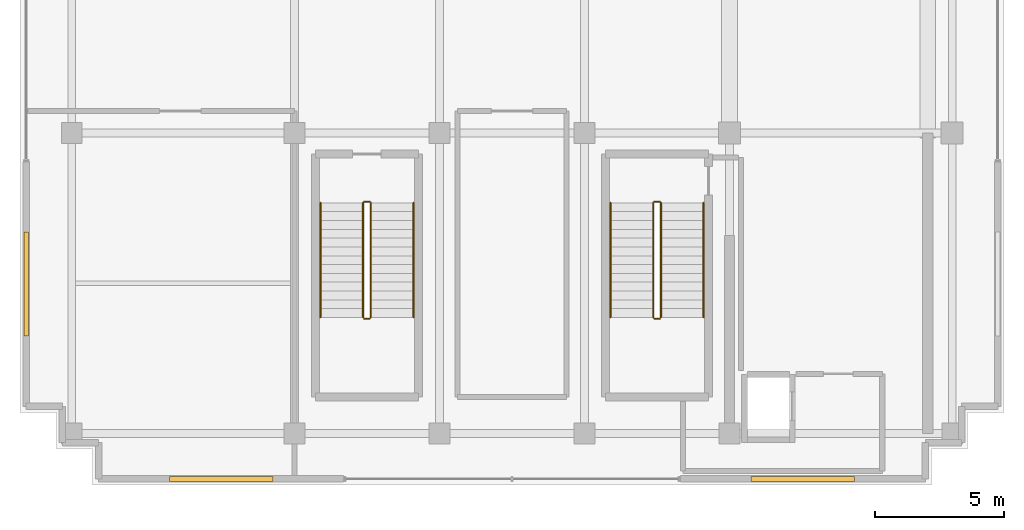
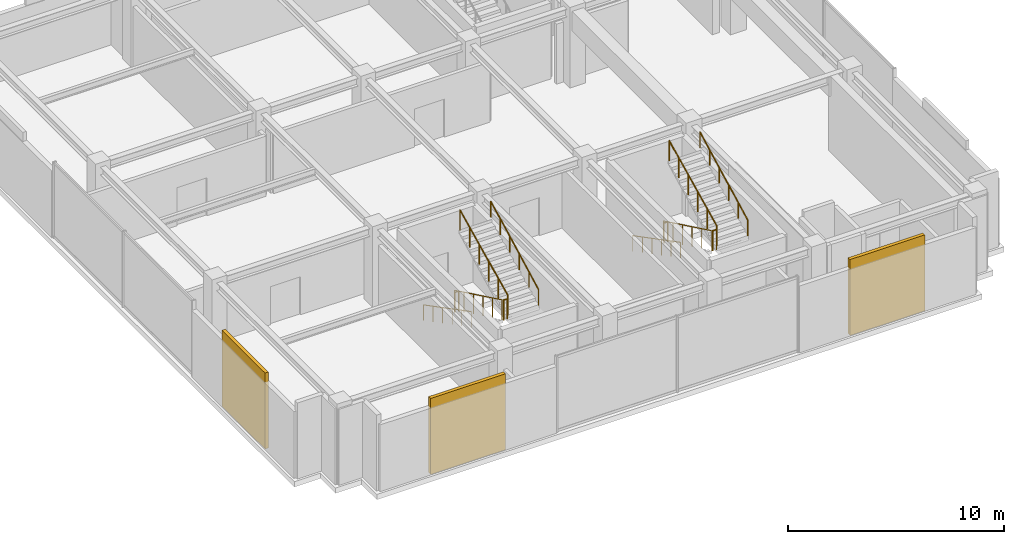
# One storey, part 16 of 18: 12 railings, 3 shading devices.
"""IFC4 building model written with IfcOpenShell, lengths in metres."""

from ifc_helpers import new_model, si_unit, direction, frame, origin, origin_2d, place, context, subcontext, project, spatial, rectangle, circle, extrude, source, transform, mapped, material, layer, layer_set, type_object, element, save


model = new_model("IFC4")

# Units and contexts
model_context = context("Model", 3, precision=1e-05, world=origin(), true_north=direction((0.0, 1.0)))
body_context = subcontext(model_context, "Body", "Model", "MODEL_VIEW")
ifc_project = project(units=[si_unit("LENGTHUNIT", "METRE"), si_unit("AREAUNIT", "SQUARE_METRE"), si_unit("VOLUMEUNIT", "CUBIC_METRE"), si_unit("PLANEANGLEUNIT", "RADIAN"), si_unit("MASSUNIT", "GRAM", prefix="KILO")], contexts=[model_context])

# Site, building, storey
site_placement = place(None, origin())
site = spatial("IfcSite", under=ifc_project, at=site_placement, CompositionType="ELEMENT")
building_placement = place(site_placement, origin())
building = spatial("IfcBuilding", under=site, at=building_placement, Name="Nahalor Promenade Grand Hotel", CompositionType="ELEMENT")
storey_placement = place(building_placement, frame((0.0, 0.0, 361.64990234375)))
storey = spatial("IfcBuildingStorey", under=building, at=storey_placement, Name="L92", CompositionType="ELEMENT", Elevation=361.64990234375)

# Railings
ifc_material_1 = material(Name="Steel S355JR", Category="steel")
railing_type_1 = type_object("IfcRailingType", Name="Steel Stair Guardrail 1150 mm", PredefinedType="GUARDRAIL", material=ifc_material_1)
railing_1_placement = place(storey_placement, frame((5.449951171875, -8.10009765625, 0.164306640625)))
element("IfcRailing", 1, at=railing_1_placement, inside=storey, type_object=railing_type_1, Name="L92 ST2 stair guard 1", PredefinedType="GUARDRAIL", context=body_context, shape_type="SweptSolid", body=[
    extrude(circle(Radius=0.024048, at=origin_2d()), frame((0.0, 0.0, 1.1259765625), z_axis=(0.0, -0.900393116817, 0.435077274962), x_axis=(1.0, 0.0, 0.0)), (0.0, 0.0, 1.0), 4.908935546875),
    extrude(circle(Radius=0.020996, at=origin_2d()), origin(), (0.0, 0.0, 1.0), 1.099853515625),
    extrude(circle(Radius=0.020996, at=origin_2d()), frame((0.0, -0.884033203125, 0.42724609375)), (0.0, 0.0, 1.0), 1.099853515625),
    extrude(circle(Radius=0.020996, at=origin_2d()), frame((0.0, -1.76806640625, 0.854248046875)), (0.0, 0.0, 1.0), 1.099853515625),
    extrude(circle(Radius=0.020996, at=origin_2d()), frame((0.0, -2.65185546875, 1.281494140625)), (0.0, 0.0, 1.0), 1.099853515625),
    extrude(circle(Radius=0.020996, at=origin_2d()), frame((0.0, -3.535888671875, 1.70849609375)), (0.0, 0.0, 1.0), 1.099853515625),
    extrude(circle(Radius=0.020996, at=origin_2d()), frame((0.0, -4.419921875, 2.1357421875)), (0.0, 0.0, 1.0), 1.099853515625),
])
railing_2_placement = place(storey_placement, frame((5.5, -12.570068359375, 2.300048828125)))
element("IfcRailing", 2, at=railing_2_placement, inside=storey, type_object=railing_type_1, Name="L92 ST2 stair guard 2", PredefinedType="GUARDRAIL", context=body_context, shape_type="SweptSolid", body=[
    extrude(circle(Radius=0.024048, at=origin_2d()), frame((0.0, 0.0, 1.1259765625), z_axis=(1.0, 0.0, 0.0), x_axis=(0.0, 1.0, 0.0)), (0.0, 0.0, 1.0), 0.199951171875),
    extrude(circle(Radius=0.020996, at=origin_2d()), origin(), (0.0, 0.0, 1.0), 1.099853515625),
    extrude(circle(Radius=0.020996, at=origin_2d()), frame((0.199951171875, 0.0, 0.0)), (0.0, 0.0, 1.0), 1.099853515625),
])
railing_3_placement = place(storey_placement, frame((5.75, -12.52001953125, 2.46435546875)))
element("IfcRailing", 3, at=railing_3_placement, inside=storey, type_object=railing_type_1, Name="L92 ST2 stair guard 3", PredefinedType="GUARDRAIL", context=body_context, shape_type="SweptSolid", body=[
    extrude(circle(Radius=0.024048, at=origin_2d()), frame((0.0, 0.0, 1.1259765625), z_axis=(0.0, 0.900393116817, 0.435077274962), x_axis=(-1.0, 0.0, 0.0)), (0.0, 0.0, 1.0), 4.908935546875),
    extrude(circle(Radius=0.020996, at=origin_2d()), origin(), (0.0, 0.0, 1.0), 1.099853515625),
    extrude(circle(Radius=0.020996, at=origin_2d()), frame((0.0, 0.884033203125, 0.42724609375)), (0.0, 0.0, 1.0), 1.099853515625),
    extrude(circle(Radius=0.020996, at=origin_2d()), frame((0.0, 1.76806640625, 0.854248046875)), (0.0, 0.0, 1.0), 1.099853515625),
    extrude(circle(Radius=0.020996, at=origin_2d()), frame((0.0, 2.65185546875, 1.281494140625)), (0.0, 0.0, 1.0), 1.099853515625),
    extrude(circle(Radius=0.020996, at=origin_2d()), frame((0.0, 3.535888671875, 1.70849609375)), (0.0, 0.0, 1.0), 1.099853515625),
    extrude(circle(Radius=0.020996, at=origin_2d()), frame((0.0, 4.419921875, 2.1357421875)), (0.0, 0.0, 1.0), 1.099853515625),
])
railing_4_placement = place(storey_placement, frame((5.5, -8.050048828125, 0.0)))
element("IfcRailing", 4, at=railing_4_placement, inside=storey, type_object=railing_type_1, Name="L92 ST2 stair guard 4", PredefinedType="GUARDRAIL", context=body_context, shape_type="SweptSolid", body=[
    extrude(circle(Radius=0.024048, at=origin_2d()), frame((0.0, 0.0, 1.1259765625), z_axis=(1.0, 0.0, 0.0), x_axis=(0.0, 1.0, 0.0)), (0.0, 0.0, 1.0), 0.199951171875),
    extrude(circle(Radius=0.020996, at=origin_2d()), origin(), (0.0, 0.0, 1.0), 1.099853515625),
    extrude(circle(Radius=0.020996, at=origin_2d()), frame((0.199951171875, 0.0, 0.0)), (0.0, 0.0, 1.0), 1.099853515625),
])
railing_5_placement = place(storey_placement, frame((-5.75, -8.10009765625, 0.164306640625)))
element("IfcRailing", 5, at=railing_5_placement, inside=storey, type_object=railing_type_1, Name="L92 ST3 stair guard 1", PredefinedType="GUARDRAIL", context=body_context, shape_type="SweptSolid", body=[
    extrude(circle(Radius=0.024048, at=origin_2d()), frame((0.0, 0.0, 1.1259765625), z_axis=(0.0, -0.900393116817, 0.435077274962), x_axis=(1.0, 0.0, 0.0)), (0.0, 0.0, 1.0), 4.908935546875),
    extrude(circle(Radius=0.020996, at=origin_2d()), origin(), (0.0, 0.0, 1.0), 1.099853515625),
    extrude(circle(Radius=0.020996, at=origin_2d()), frame((0.0, -0.884033203125, 0.42724609375)), (0.0, 0.0, 1.0), 1.099853515625),
    extrude(circle(Radius=0.020996, at=origin_2d()), frame((0.0, -1.76806640625, 0.854248046875)), (0.0, 0.0, 1.0), 1.099853515625),
    extrude(circle(Radius=0.020996, at=origin_2d()), frame((0.0, -2.65185546875, 1.281494140625)), (0.0, 0.0, 1.0), 1.099853515625),
    extrude(circle(Radius=0.020996, at=origin_2d()), frame((0.0, -3.535888671875, 1.70849609375)), (0.0, 0.0, 1.0), 1.099853515625),
    extrude(circle(Radius=0.020996, at=origin_2d()), frame((0.0, -4.419921875, 2.1357421875)), (0.0, 0.0, 1.0), 1.099853515625),
])
railing_6_placement = place(storey_placement, frame((-5.699951171875, -12.570068359375, 2.300048828125)))
element("IfcRailing", 6, at=railing_6_placement, inside=storey, type_object=railing_type_1, Name="L92 ST3 stair guard 2", PredefinedType="GUARDRAIL", context=body_context, shape_type="SweptSolid", body=[
    extrude(circle(Radius=0.024048, at=origin_2d()), frame((0.0, 0.0, 1.1259765625), z_axis=(1.0, 0.0, 0.0), x_axis=(0.0, 1.0, 0.0)), (0.0, 0.0, 1.0), 0.199951171875),
    extrude(circle(Radius=0.020996, at=origin_2d()), origin(), (0.0, 0.0, 1.0), 1.099853515625),
    extrude(circle(Radius=0.020996, at=origin_2d()), frame((0.199951171875, 0.0, 0.0)), (0.0, 0.0, 1.0), 1.099853515625),
])
railing_7_placement = place(storey_placement, frame((-5.449951171875, -12.52001953125, 2.46435546875)))
element("IfcRailing", 7, at=railing_7_placement, inside=storey, type_object=railing_type_1, Name="L92 ST3 stair guard 3", PredefinedType="GUARDRAIL", context=body_context, shape_type="SweptSolid", body=[
    extrude(circle(Radius=0.024048, at=origin_2d()), frame((0.0, 0.0, 1.1259765625), z_axis=(0.0, 0.900393116817, 0.435077274962), x_axis=(-1.0, 0.0, 0.0)), (0.0, 0.0, 1.0), 4.908935546875),
    extrude(circle(Radius=0.020996, at=origin_2d()), origin(), (0.0, 0.0, 1.0), 1.099853515625),
    extrude(circle(Radius=0.020996, at=origin_2d()), frame((0.0, 0.884033203125, 0.42724609375)), (0.0, 0.0, 1.0), 1.099853515625),
    extrude(circle(Radius=0.020996, at=origin_2d()), frame((0.0, 1.76806640625, 0.854248046875)), (0.0, 0.0, 1.0), 1.099853515625),
    extrude(circle(Radius=0.020996, at=origin_2d()), frame((0.0, 2.65185546875, 1.281494140625)), (0.0, 0.0, 1.0), 1.099853515625),
    extrude(circle(Radius=0.020996, at=origin_2d()), frame((0.0, 3.535888671875, 1.70849609375)), (0.0, 0.0, 1.0), 1.099853515625),
    extrude(circle(Radius=0.020996, at=origin_2d()), frame((0.0, 4.419921875, 2.1357421875)), (0.0, 0.0, 1.0), 1.099853515625),
])
railing_8_placement = place(storey_placement, frame((-5.699951171875, -8.050048828125, 0.0)))
element("IfcRailing", 8, at=railing_8_placement, inside=storey, type_object=railing_type_1, Name="L92 ST3 stair guard 4", PredefinedType="GUARDRAIL", context=body_context, shape_type="SweptSolid", body=[
    extrude(circle(Radius=0.024048, at=origin_2d()), frame((0.0, 0.0, 1.1259765625), z_axis=(1.0, 0.0, 0.0), x_axis=(0.0, 1.0, 0.0)), (0.0, 0.0, 1.0), 0.199951171875),
    extrude(circle(Radius=0.020996, at=origin_2d()), origin(), (0.0, 0.0, 1.0), 1.099853515625),
    extrude(circle(Radius=0.020996, at=origin_2d()), frame((0.199951171875, 0.0, 0.0)), (0.0, 0.0, 1.0), 1.099853515625),
])
railing_type_2 = type_object("IfcRailingType", Name="Steel Stair Handrail 900 mm", PredefinedType="HANDRAIL", material=ifc_material_1)
railing_9_placement = place(storey_placement, frame((3.800048828125, -8.10009765625, 0.164306640625)))
element("IfcRailing", 9, at=railing_9_placement, inside=storey, type_object=railing_type_2, Name="L92 ST2 stair handrail 1", PredefinedType="HANDRAIL", context=body_context, shape_type="SweptSolid", body=[
    extrude(circle(Radius=0.024048, at=origin_2d()), frame((0.0, 0.0, 0.8759765625), z_axis=(0.0, -0.887077971717, 0.461619618402), x_axis=(1.0, 0.0, 0.0)), (0.0, 0.0, 1.0), 4.982666015625),
    extrude(circle(Radius=0.020996, at=origin_2d()), origin(), (0.0, 0.0, 1.0), 0.849853515625),
    extrude(circle(Radius=0.020996, at=origin_2d()), frame((0.0, -0.884033203125, 0.4599609375)), (0.0, 0.0, 1.0), 0.849853515625),
    extrude(circle(Radius=0.020996, at=origin_2d()), frame((0.0, -1.76806640625, 0.919921875)), (0.0, 0.0, 1.0), 0.849853515625),
    extrude(circle(Radius=0.020996, at=origin_2d()), frame((0.0, -2.65185546875, 1.380126953125)), (0.0, 0.0, 1.0), 0.849853515625),
    extrude(circle(Radius=0.020996, at=origin_2d()), frame((0.0, -3.535888671875, 1.840087890625)), (0.0, 0.0, 1.0), 0.849853515625),
    extrude(circle(Radius=0.020996, at=origin_2d()), frame((0.0, -4.419921875, 2.300048828125)), (0.0, 0.0, 1.0), 0.849853515625),
])
railing_10_placement = place(storey_placement, frame((7.39990234375, -12.52001953125, 2.46435546875)))
element("IfcRailing", 10, at=railing_10_placement, inside=storey, type_object=railing_type_2, Name="L92 ST2 stair handrail 2", PredefinedType="HANDRAIL", context=body_context, shape_type="SweptSolid", body=[
    extrude(circle(Radius=0.024048, at=origin_2d()), frame((0.0, 0.0, 0.8759765625), z_axis=(0.0, 0.887077971717, 0.461619618402), x_axis=(-1.0, 0.0, 0.0)), (0.0, 0.0, 1.0), 4.982666015625),
    extrude(circle(Radius=0.020996, at=origin_2d()), origin(), (0.0, 0.0, 1.0), 0.849853515625),
    extrude(circle(Radius=0.020996, at=origin_2d()), frame((0.0, 0.884033203125, 0.4599609375)), (0.0, 0.0, 1.0), 0.849853515625),
    extrude(circle(Radius=0.020996, at=origin_2d()), frame((0.0, 1.76806640625, 0.919921875)), (0.0, 0.0, 1.0), 0.849853515625),
    extrude(circle(Radius=0.020996, at=origin_2d()), frame((0.0, 2.65185546875, 1.380126953125)), (0.0, 0.0, 1.0), 0.849853515625),
    extrude(circle(Radius=0.020996, at=origin_2d()), frame((0.0, 3.535888671875, 1.840087890625)), (0.0, 0.0, 1.0), 0.849853515625),
    extrude(circle(Radius=0.020996, at=origin_2d()), frame((0.0, 4.419921875, 2.300048828125)), (0.0, 0.0, 1.0), 0.849853515625),
])
railing_11_placement = place(storey_placement, frame((-7.39990234375, -8.10009765625, 0.164306640625)))
element("IfcRailing", 11, at=railing_11_placement, inside=storey, type_object=railing_type_2, Name="L92 ST3 stair handrail 1", PredefinedType="HANDRAIL", context=body_context, shape_type="SweptSolid", body=[
    extrude(circle(Radius=0.024048, at=origin_2d()), frame((0.0, 0.0, 0.8759765625), z_axis=(0.0, -0.887077971717, 0.461619618402), x_axis=(1.0, 0.0, 0.0)), (0.0, 0.0, 1.0), 4.982666015625),
    extrude(circle(Radius=0.020996, at=origin_2d()), origin(), (0.0, 0.0, 1.0), 0.849853515625),
    extrude(circle(Radius=0.020996, at=origin_2d()), frame((0.0, -0.884033203125, 0.4599609375)), (0.0, 0.0, 1.0), 0.849853515625),
    extrude(circle(Radius=0.020996, at=origin_2d()), frame((0.0, -1.76806640625, 0.919921875)), (0.0, 0.0, 1.0), 0.849853515625),
    extrude(circle(Radius=0.020996, at=origin_2d()), frame((0.0, -2.65185546875, 1.380126953125)), (0.0, 0.0, 1.0), 0.849853515625),
    extrude(circle(Radius=0.020996, at=origin_2d()), frame((0.0, -3.535888671875, 1.840087890625)), (0.0, 0.0, 1.0), 0.849853515625),
    extrude(circle(Radius=0.020996, at=origin_2d()), frame((0.0, -4.419921875, 2.300048828125)), (0.0, 0.0, 1.0), 0.849853515625),
])
railing_12_placement = place(storey_placement, frame((-3.800048828125, -12.52001953125, 2.46435546875)))
element("IfcRailing", 12, at=railing_12_placement, inside=storey, type_object=railing_type_2, Name="L92 ST3 stair handrail 2", PredefinedType="HANDRAIL", context=body_context, shape_type="SweptSolid", body=[
    extrude(circle(Radius=0.024048, at=origin_2d()), frame((0.0, 0.0, 0.8759765625), z_axis=(0.0, 0.887077971717, 0.461619618402), x_axis=(-1.0, 0.0, 0.0)), (0.0, 0.0, 1.0), 4.982666015625),
    extrude(circle(Radius=0.020996, at=origin_2d()), origin(), (0.0, 0.0, 1.0), 0.849853515625),
    extrude(circle(Radius=0.020996, at=origin_2d()), frame((0.0, 0.884033203125, 0.4599609375)), (0.0, 0.0, 1.0), 0.849853515625),
    extrude(circle(Radius=0.020996, at=origin_2d()), frame((0.0, 1.76806640625, 0.919921875)), (0.0, 0.0, 1.0), 0.849853515625),
    extrude(circle(Radius=0.020996, at=origin_2d()), frame((0.0, 2.65185546875, 1.380126953125)), (0.0, 0.0, 1.0), 0.849853515625),
    extrude(circle(Radius=0.020996, at=origin_2d()), frame((0.0, 3.535888671875, 1.840087890625)), (0.0, 0.0, 1.0), 0.849853515625),
    extrude(circle(Radius=0.020996, at=origin_2d()), frame((0.0, 4.419921875, 2.300048828125)), (0.0, 0.0, 1.0), 0.849853515625),
])

# Shading devices
ifc_material_2 = material(Name="Anodised Bronze Aluminium EN AW-6063 T6", Category="aluminium")
ifc_layer = layer(ifc_material_2, 0.179931640625)
ifc_layer_set = layer_set([ifc_layer], Name="Anodised Bronze Aluminium EN AW-6063 T6")
shading_device_type = type_object("IfcShadingDeviceType", Name="Shade-PlantLouvre-Bronze", PredefinedType="USERDEFINED", material=ifc_layer_set)
shared_shape = source(origin(), body_context, "Body", "SweptSolid", [
    extrude(rectangle(XDim=4.0, YDim=0.179931640625, at=origin_2d()), origin(), (0.0, 0.0, 1.0), 4.300048828125),
])
for number, where, z_axis, x_axis, name in (
    (13, (-11.22998046875, -18.760009765625, 0.0), (0.0, 0.0, 1.0), (1.0, 0.0, 0.0), "LV-L92-SL"),
    (14, (11.22998046875, -18.760009765625, 0.0), (0.0, 0.0, 1.0), (1.0, 0.0, 0.0), "LV-L92-SR"),
    (15, (-18.760009765625, -11.22998046875, 0.0), (0.0, 0.0, 1.0), (0.0, 1.0, 0.0), "LV-L92-WL"),
):
    element("IfcShadingDevice", number, at=place(storey_placement, frame(where, z_axis=z_axis, x_axis=x_axis)), inside=storey, type_object=shading_device_type, Name=name, ObjectType="LOUVRE", PredefinedType="USERDEFINED", context=body_context, shape_type="MappedRepresentation", body=[
        mapped(shared_shape, transform((0.0, 0.0, 0.0), scale=1.0)),
    ])

save(model, "model.ifc")
